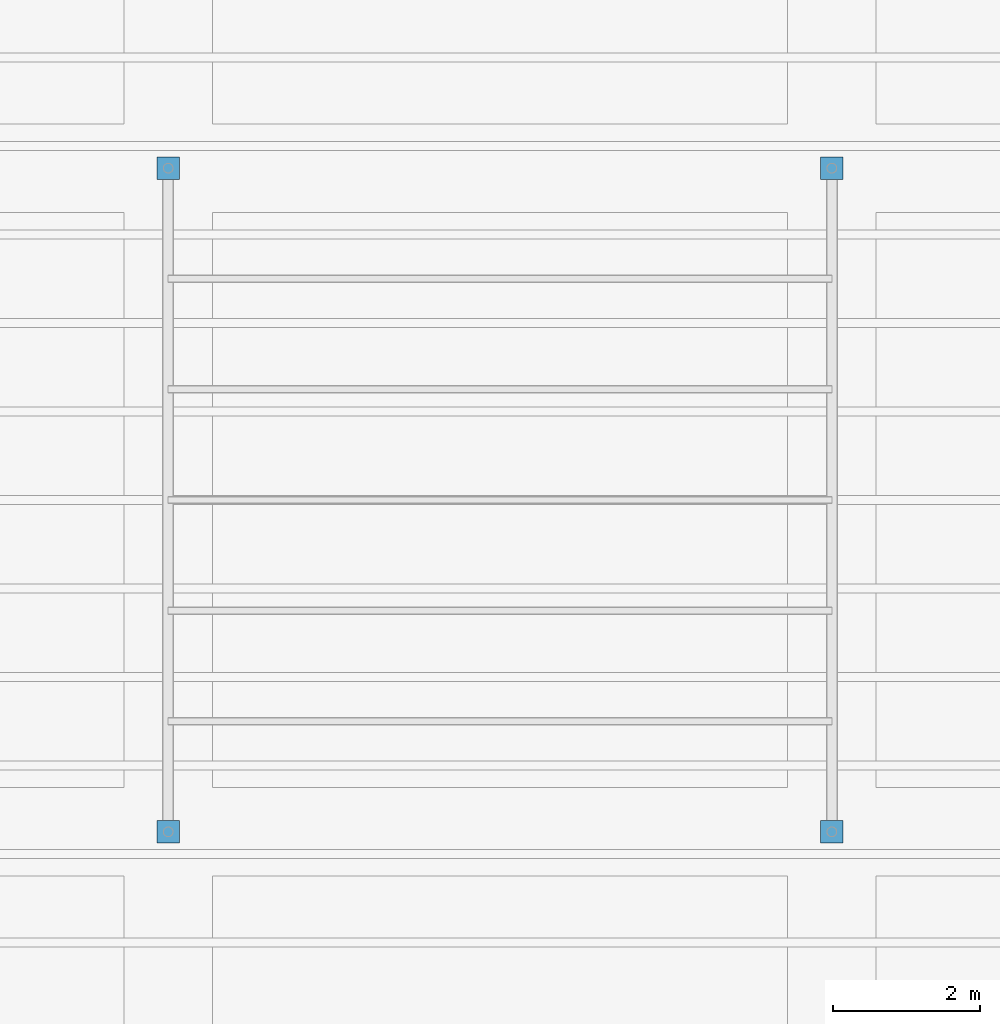
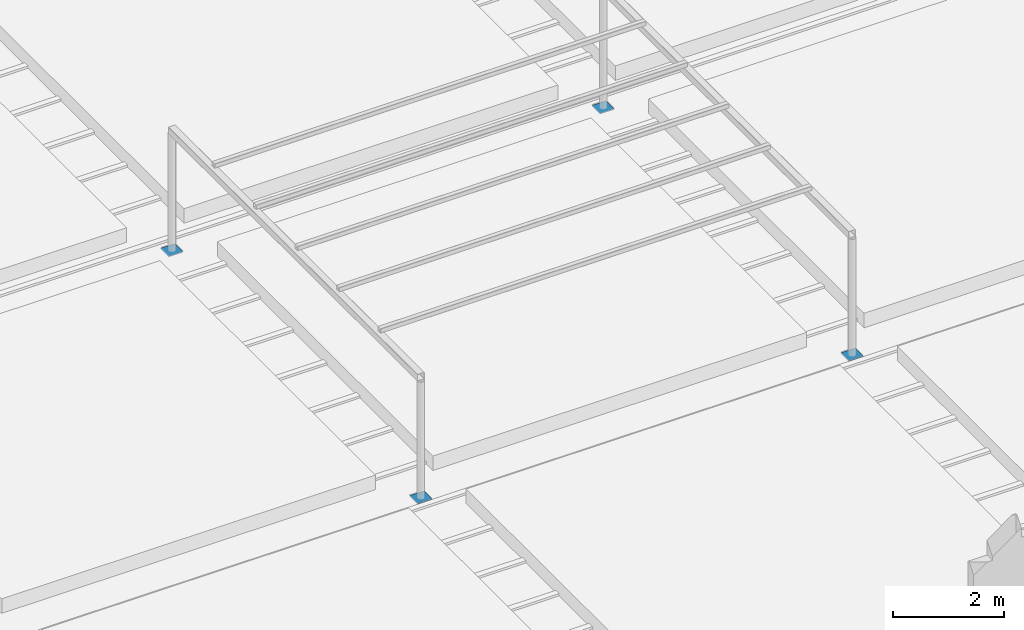
# One storey, part 126 of 153: 4 discrete accessories.
"""IFC4 building model written with IfcOpenShell, lengths in metres."""

from ifc_helpers import new_model, si_unit, direction, frame, origin, origin_2d, place, context, subcontext, project, spatial, rectangle, extrude, material, type_object, element, save


model = new_model("IFC4")

# Units and contexts
model_context = context("Model", 3, precision=1e-05, world=origin(), true_north=direction((0.0, 1.0)))
body_context = subcontext(model_context, "Body", "Model", "MODEL_VIEW")
ifc_project = project(units=[si_unit("LENGTHUNIT", "METRE"), si_unit("AREAUNIT", "SQUARE_METRE"), si_unit("VOLUMEUNIT", "CUBIC_METRE"), si_unit("PLANEANGLEUNIT", "RADIAN"), si_unit("MASSUNIT", "GRAM", prefix="KILO")], contexts=[model_context])

# Site, building, storey
site_placement = place(None, origin())
site = spatial("IfcSite", under=ifc_project, at=site_placement, CompositionType="ELEMENT")
building_placement = place(site_placement, origin())
building = spatial("IfcBuilding", under=site, at=building_placement, Name="Baradari Gate Terminus", CompositionType="ELEMENT")
storey_placement = place(building_placement, frame((0.0, 0.0, 11.699951171875)))
storey = spatial("IfcBuildingStorey", under=building, at=storey_placement, Name="L02", CompositionType="ELEMENT", Elevation=11.699951171875)

# Discrete accessories
ifc_material = material(Name="Steel S355", Category="steel")
discrete_accessory_type = type_object("IfcDiscreteAccessoryType", Name="Pergola base plate PGP-1 300x300x12", PredefinedType="BRACKET", material=ifc_material)
for number, where, z_axis, x_axis, name in (
    (1, (135.0, 18.0, 0.0), (0.0, 0.0, 1.0), (1.0, 0.0, 0.0), "Pergola base plate S3"),
    (2, (144.0, 18.0, 0.0), (0.0, 0.0, 1.0), (1.0, 0.0, 0.0), "Pergola base plate S3"),
    (3, (144.0, 27.0, 0.0), (0.0, 0.0, 1.0), (1.0, 0.0, 0.0), "Pergola base plate S3"),
    (4, (135.0, 27.0, 0.0), (0.0, 0.0, 1.0), (1.0, 0.0, 0.0), "Pergola base plate S3"),
):
    element("IfcDiscreteAccessory", number, at=place(storey_placement, frame(where, z_axis=z_axis, x_axis=x_axis)), inside=storey, type_object=discrete_accessory_type, Name=name, PredefinedType="BRACKET", context=body_context, shape_type="SweptSolid", body=[
        extrude(rectangle(XDim=0.300048828125, YDim=0.300048828125, at=origin_2d()), origin(), (0.0, 0.0, 1.0), 0.011962890625),
    ])

save(model, "model.ifc")
